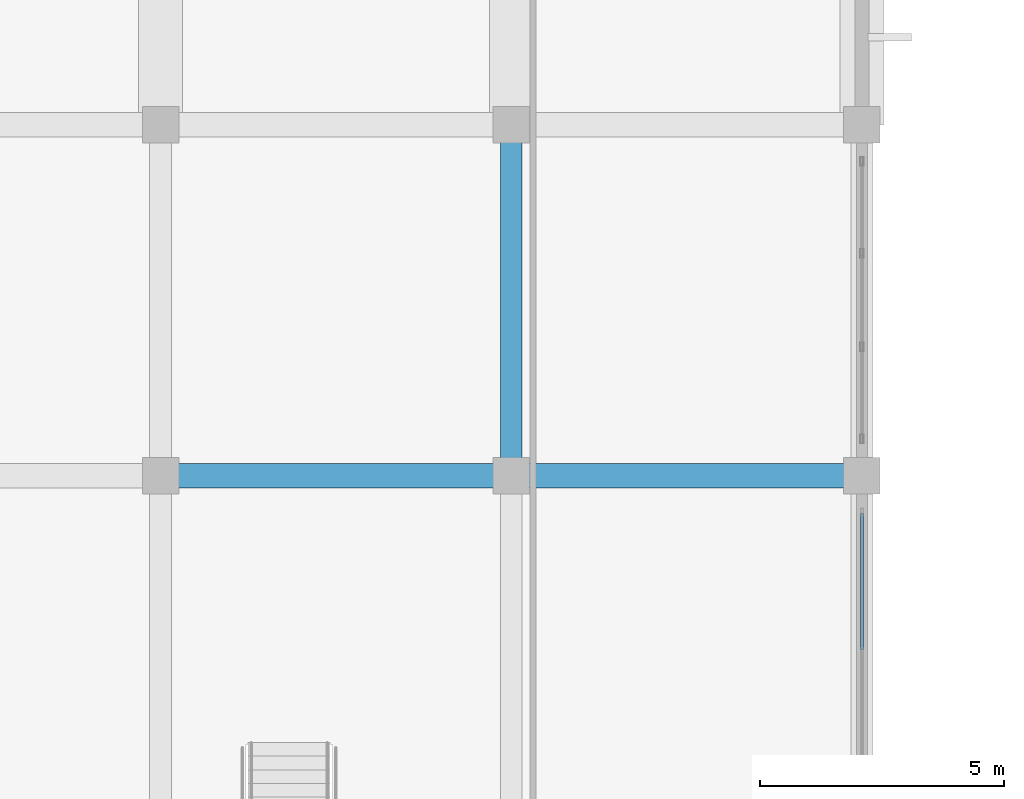
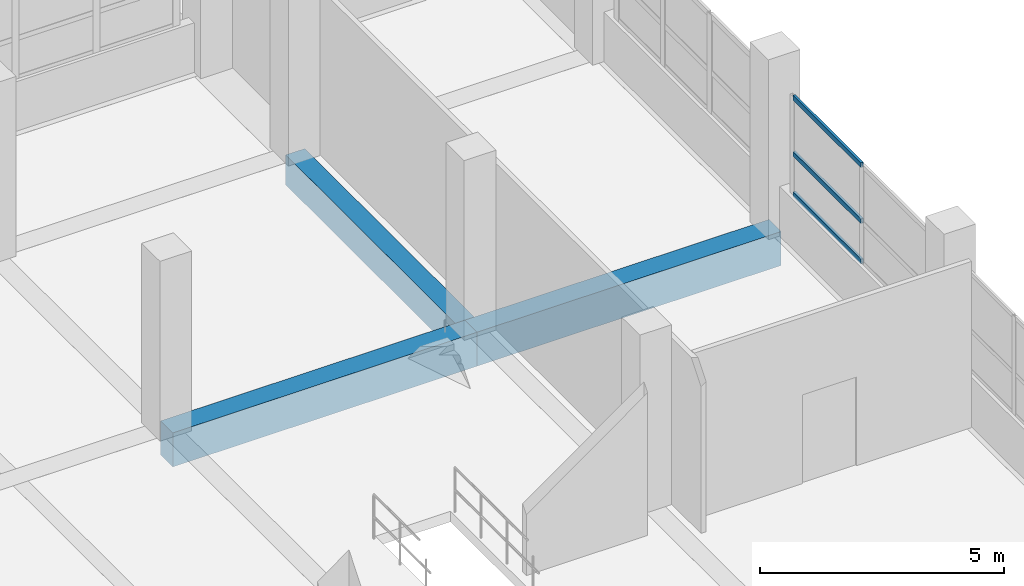
# One storey, part 98 of 141: 3 beams, 3 members, 1 element without a shape of its own.
"""IFC4 building model written with IfcOpenShell, lengths in metres."""

from ifc_helpers import new_model, si_unit, direction, frame, origin, origin_2d, place, context, subcontext, project, spatial, rectangle, hollow_rectangle, extrude, material, layer, layer_set, material_profile, profile_set, type_object, element, aggregate, save


model = new_model("IFC4")

# Units and contexts
model_context = context("Model", 3, precision=1e-05, world=origin(), true_north=direction((0.0, 1.0)))
body_context = subcontext(model_context, "Body", "Model", "MODEL_VIEW")
ifc_project = project(units=[si_unit("LENGTHUNIT", "METRE"), si_unit("AREAUNIT", "SQUARE_METRE"), si_unit("VOLUMEUNIT", "CUBIC_METRE"), si_unit("PLANEANGLEUNIT", "RADIAN"), si_unit("MASSUNIT", "GRAM", prefix="KILO")], contexts=[model_context])

# Site, building, storey
site_placement = place(None, origin())
site = spatial("IfcSite", under=ifc_project, at=site_placement, CompositionType="ELEMENT")
building_placement = place(site_placement, origin())
building = spatial("IfcBuilding", under=site, at=building_placement, Name="Seraya Terrace Polytechnic", CompositionType="ELEMENT")
storey_placement = place(building_placement, frame((0.0, 0.0, 14.39990234375)))
storey = spatial("IfcBuildingStorey", under=building, at=storey_placement, Name="L03", CompositionType="ELEMENT", Elevation=14.39990234375)

# Beams
ifc_material_1 = material(Name="Concrete C40/50", Category="concrete")
ifc_material_profile_1 = material_profile(ifc_material_1, rectangle(XDim=0.5, YDim=0.85009765625, at=origin_2d()), Name="RC 500x850")
ifc_profile_set_1 = profile_set([ifc_material_profile_1], Name="Concrete C40/50")
beam_type_1 = type_object("IfcBeamType", Name="BM-05", PredefinedType="BEAM", material=ifc_profile_set_1)
for number, where, z_axis, x_axis, name in (
    (1, (93.60009765625, 64.800048828125, -0.4248046875), (1.0, 0.0, 0.0), (0.0, 1.0, 0.0), "Beam BM-05 L03 X (93.6..100.8, 64.8)"),
    (2, (100.800048828125, 64.800048828125, -0.4248046875), (1.0, 0.0, 0.0), (0.0, 1.0, 0.0), "Beam BM-05 L03 X (100.8..108.0, 64.8)"),
):
    element("IfcBeam", number, at=place(storey_placement, frame(where, z_axis=z_axis, x_axis=x_axis)), inside=storey, type_object=beam_type_1, Name=name, PredefinedType="BEAM", context=body_context, shape_type="SweptSolid", body=[
        extrude(rectangle(XDim=0.5, YDim=0.85009765625, at=origin_2d()), origin(), (0.0, 0.0, 1.0), 7.199951171875),
    ])
ifc_material_profile_2 = material_profile(ifc_material_1, rectangle(XDim=0.449951171875, YDim=0.75, at=origin_2d()), Name="RC 450x750")
ifc_profile_set_2 = profile_set([ifc_material_profile_2], Name="Concrete C40/50")
beam_type_2 = type_object("IfcBeamType", Name="BM-08", PredefinedType="BEAM", material=ifc_profile_set_2)
beam_placement = place(storey_placement, frame((100.800048828125, 64.800048828125, -0.375), z_axis=(0.0, 1.0, 0.0), x_axis=(-1.0, 0.0, 0.0)))
element("IfcBeam", 3, at=beam_placement, inside=storey, type_object=beam_type_2, Name="Beam BM-08 L03 Y (100.8, 64.8..72.0)", PredefinedType="BEAM", context=body_context, shape_type="SweptSolid", body=[
    extrude(rectangle(XDim=0.449951171875, YDim=0.75, at=origin_2d()), origin(), (0.0, 0.0, 1.0), 7.199951171875),
])

# Curtain wall, members
ifc_material_2 = material(Name="Anodised aluminium EN AW-6063 T6", Category="aluminium")
ifc_layer = layer(ifc_material_2, 0.179931640625, Name="CW-20")
ifc_layer_set = layer_set([ifc_layer], Name="Anodised aluminium EN AW-6063 T6")
curtain_wall_type = type_object("IfcCurtainWallType", Name="CW-20", PredefinedType="NOTDEFINED", material=ifc_layer_set)
curtain_wall_placement = place(storey_placement, origin())
curtain_wall = element("IfcCurtainWall", 4, at=curtain_wall_placement, inside=storey, type_object=curtain_wall_type, Name="Unitised curtain wall CW-20 (CW-L03-128)", PredefinedType="NOTDEFINED")
ifc_material_profile_3 = material_profile(ifc_material_2, hollow_rectangle(XDim=0.06005859375, YDim=0.1201171875, WallThickness=0.003173828125, at=origin_2d()), Name="RHS 120x60x3.2")
ifc_profile_set_3 = profile_set([ifc_material_profile_3], Name="Anodised aluminium EN AW-6063 T6")
member_type = type_object("IfcMemberType", Name="CWT-02", PredefinedType="USERDEFINED", material=ifc_profile_set_3)
member_1_placement = place(storey_placement, frame((108.0, 64.02001953125, 1.27001953125), z_axis=(0.0, -1.0, 0.0), x_axis=(1.0, 0.0, 0.0)))
member_1 = element("IfcMember", 5, at=member_1_placement, type_object=member_type, Name="CW-20 transom 1.1", ObjectType="TRANSOM", PredefinedType="USERDEFINED", context=body_context, shape_type="SweptSolid", body=[
    extrude(hollow_rectangle(XDim=0.06005859375, YDim=0.1201171875, WallThickness=0.003173828125, at=origin_2d()), origin(), (0.0, 0.0, 1.0), 2.7900390625),
])
member_2_placement = place(storey_placement, frame((108.0, 64.02001953125, 2.277587890625), z_axis=(0.0, -1.0, 0.0), x_axis=(1.0, 0.0, 0.0)))
member_2 = element("IfcMember", 6, at=member_2_placement, type_object=member_type, Name="CW-20 transom 1.2", ObjectType="TRANSOM", PredefinedType="USERDEFINED", context=body_context, shape_type="SweptSolid", body=[
    extrude(hollow_rectangle(XDim=0.06005859375, YDim=0.1201171875, WallThickness=0.003173828125, at=origin_2d()), origin(), (0.0, 0.0, 1.0), 2.7900390625),
])
member_3_placement = place(storey_placement, frame((108.0, 64.02001953125, 3.68017578125), z_axis=(0.0, -1.0, 0.0), x_axis=(1.0, 0.0, 0.0)))
member_3 = element("IfcMember", 7, at=member_3_placement, type_object=member_type, Name="CW-20 transom 1.3", ObjectType="TRANSOM", PredefinedType="USERDEFINED", context=body_context, shape_type="SweptSolid", body=[
    extrude(hollow_rectangle(XDim=0.06005859375, YDim=0.1201171875, WallThickness=0.003173828125, at=origin_2d()), origin(), (0.0, 0.0, 1.0), 2.7900390625),
])
aggregate(curtain_wall, [member_1, member_2, member_3])

save(model, "model.ifc")
